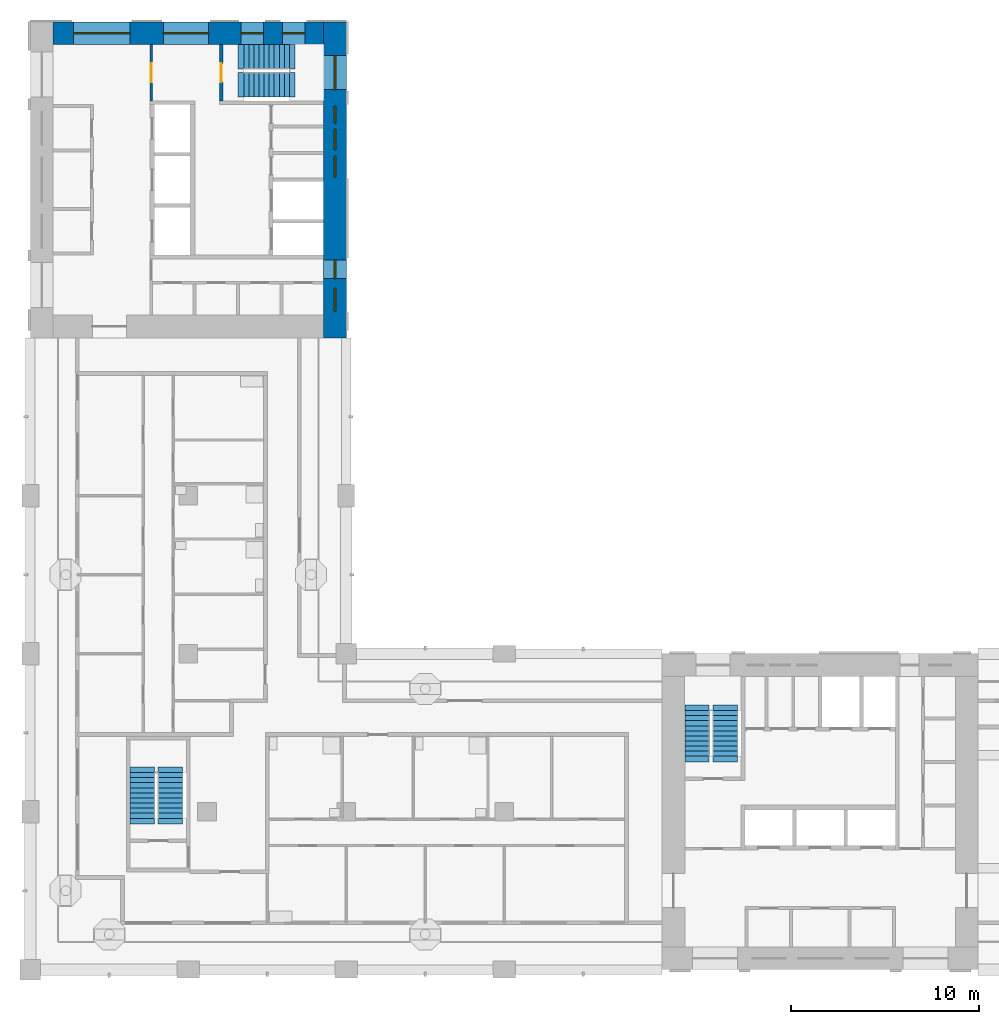
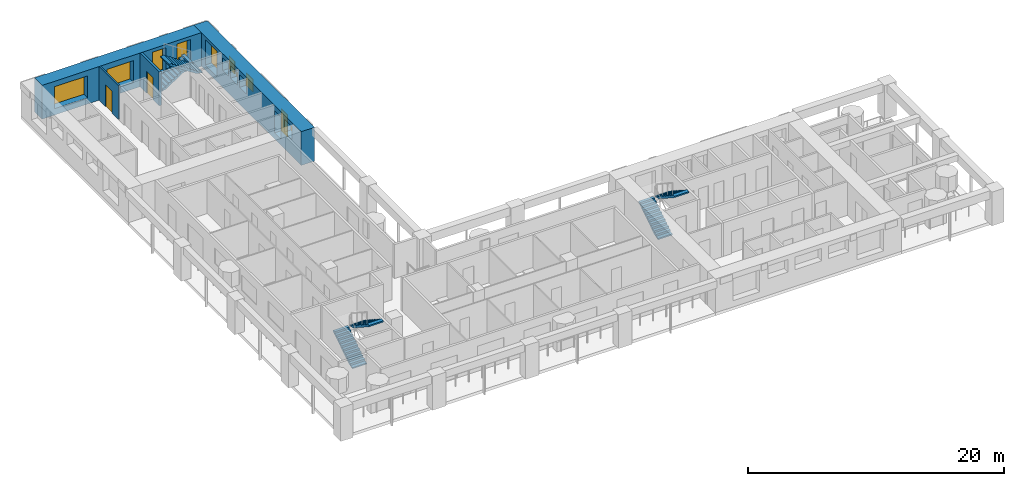
# One storey, part 7 of 13: 10 windows, 6 stair flights, 4 walls, 2 doors, 12 openings, 3 elements without a shape of their own.
"""IFC4 building model written with IfcOpenShell, lengths in metres."""

from ifc_helpers import new_model, si_unit, direction, frame, frame_2d, origin, place, context, subcontext, project, spatial, polyline, rectangle, outline, extrude, material, layer, layer_set, type_object, element, fill, aggregate, save


model = new_model("IFC4")

# Units and contexts
model_context = context("Model", 3, precision=1e-05, world=origin(), true_north=direction((0.0, 1.0)))
body_context = subcontext(model_context, "Body", "Model", "MODEL_VIEW")
ifc_project = project(units=[si_unit("LENGTHUNIT", "METRE"), si_unit("AREAUNIT", "SQUARE_METRE"), si_unit("VOLUMEUNIT", "CUBIC_METRE"), si_unit("PLANEANGLEUNIT", "RADIAN"), si_unit("MASSUNIT", "GRAM", prefix="KILO")], contexts=[model_context])

# Site, building, storey
site_placement = place(None, origin())
site = spatial("IfcSite", under=ifc_project, at=site_placement, CompositionType="ELEMENT")
building_placement = place(site_placement, origin())
building = spatial("IfcBuilding", under=site, at=building_placement, Name="Vermilion Gate Residences", CompositionType="ELEMENT")
storey_placement = place(building_placement, frame((0.0, 0.0, 165.199951171875)))
storey = spatial("IfcBuildingStorey", under=building, at=storey_placement, Name="L42", CompositionType="ELEMENT", Elevation=165.199951171875)

# Wall, opening, door
ifc_material_1 = material(Name="Masonry blockwork", Category="masonry")
ifc_layer_1 = layer(ifc_material_1, 0.14990234375)
ifc_layer_set_1 = layer_set([ifc_layer_1], Name="BLOCKWORK PARTITION 150 EI 120")
wall_type_1 = type_object("IfcWallType", Name="BLOCKWORK PARTITION 150 EI 120", PredefinedType="PARTITIONING", material=ifc_layer_set_1)
wall_1_placement = place(storey_placement, frame((14.824951171875, 57.60009765625, 0.0), z_axis=(0.0, 0.0, 1.0), x_axis=(0.0, -1.0, 0.0)))
wall_1 = element("IfcWall", 1, at=wall_1_placement, inside=storey, type_object=wall_type_1, Name="Core room partition B42-VW-S", PredefinedType="PARTITIONING", context=body_context, shape_type="SweptSolid", body=[
    extrude(rectangle(XDim=3.0, YDim=0.14990234375, at=frame_2d((1.5, 0.0))), origin(), (0.0, 0.0, 1.0), 3.219970703125),
])
opening_1_placement = place(wall_1_placement, frame((1.0, 0.0, 0.0)))
opening_1 = element("IfcOpeningElement", 2, at=opening_1_placement, cuts=wall_1, Name="Opening DK42113", PredefinedType="OPENING", context=body_context, shape_type="SweptSolid", body=[
    extrude(rectangle(XDim=1.0, YDim=2.10009765625, at=frame_2d((0.5, 1.050048828125))), frame((0.0, 0.0849609375, 0.0), z_axis=(0.0, -1.0, 0.0), x_axis=(1.0, 0.0, 0.0)), (0.0, 0.0, 1.0), 0.169921875),
])
ifc_material_2 = material(Name="Steel", Category="steel")
door_type = type_object("IfcDoorType", Name="FIRE DOOR FD60 1000 X 2100", OperationType="SINGLE_SWING_LEFT", PredefinedType="DOOR", material=ifc_material_2)
door_1_placement = place(opening_1_placement, frame((1.0, 0.0, 0.0), z_axis=(0.0, 0.0, 1.0), x_axis=(-1.0, 0.0, 0.0)))
door_1 = element("IfcDoor", 3, at=door_1_placement, inside=storey, type_object=door_type, Name="Stair vestibule door B42", OperationType="SINGLE_SWING_RIGHT", OverallHeight=2.10009765625, OverallWidth=1.0, PredefinedType="DOOR", context=body_context, shape_type="SweptSolid", body=[
    extrude(rectangle(XDim=1.0, YDim=2.10009765625, at=frame_2d((0.5, 1.050048828125))), frame((0.0, 0.02490234375, 0.0), z_axis=(0.0, -1.0, 0.0), x_axis=(1.0, 0.0, 0.0)), (0.0, 0.0, 1.0), 0.050048828125),
])
fill(opening_1, door_1)

ifc_material_3 = material(Name="Concrete C60", Category="concrete")
ifc_layer_2 = layer(ifc_material_3, 0.199951171875)
ifc_layer_set_2 = layer_set([ifc_layer_2], Name="RC CORE INTERNAL WALL 200 C60")
wall_type_2 = type_object("IfcWallType", Name="RC CORE INTERNAL WALL 200 C60", PredefinedType="SHEAR", material=ifc_layer_set_2)
wall_2_placement = place(storey_placement, frame((18.550048828125, 57.60009765625, 0.0), z_axis=(0.0, 0.0, 1.0), x_axis=(0.0, -1.0, 0.0)))
wall_2 = element("IfcWall", 4, at=wall_2_placement, inside=storey, type_object=wall_type_2, Name="Core internal wall B42-STW-S", PredefinedType="SHEAR", context=body_context, shape_type="SweptSolid", body=[
    extrude(rectangle(XDim=3.0, YDim=0.199951171875, at=frame_2d((1.5, 0.0))), origin(), (0.0, 0.0, 1.0), 3.219970703125),
])
opening_2_placement = place(wall_2_placement, frame((1.0, 0.0, 0.0)))
opening_2 = element("IfcOpeningElement", 5, at=opening_2_placement, cuts=wall_2, Name="Opening DK42114", PredefinedType="OPENING", context=body_context, shape_type="SweptSolid", body=[
    extrude(rectangle(XDim=1.0, YDim=2.10009765625, at=frame_2d((0.5, 1.050048828125))), frame((0.0, 0.10986328125, 0.0), z_axis=(0.0, -1.0, 0.0), x_axis=(1.0, 0.0, 0.0)), (0.0, 0.0, 1.0), 0.219970703125),
])
door_2_placement = place(opening_2_placement, origin())
door_2 = element("IfcDoor", 6, at=door_2_placement, inside=storey, type_object=door_type, Name="Stair door B42", OperationType="SINGLE_SWING_LEFT", OverallHeight=2.10009765625, OverallWidth=1.0, PredefinedType="DOOR", context=body_context, shape_type="SweptSolid", body=[
    extrude(rectangle(XDim=1.0, YDim=2.10009765625, at=frame_2d((0.5, 1.050048828125))), frame((0.0, 0.02490234375, 0.0), z_axis=(0.0, -1.0, 0.0), x_axis=(1.0, 0.0, 0.0)), (0.0, 0.0, 1.0), 0.050048828125),
])
fill(opening_2, door_2)

# Wall, openings, windows
ifc_material_4 = material(Name="Concrete C60 red-oxide pigmented", Category="concrete")
ifc_layer_3 = layer(ifc_material_4, 1.199951171875)
ifc_layer_set_3 = layer_set([ifc_layer_3], Name="RC CORE WALL 1200 C60 RED OXIDE")
wall_type_3 = type_object("IfcWallType", Name="RC CORE WALL 1200 C60 RED OXIDE", PredefinedType="SHEAR", material=ifc_layer_set_3)
wall_3_placement = place(storey_placement, frame((24.60009765625, 58.800048828125, 0.0), z_axis=(0.0, 0.0, 1.0), x_axis=(0.0, -1.0, 0.0)))
wall_3 = element("IfcWall", 7, at=wall_3_placement, inside=storey, type_object=wall_type_3, Name="Core wall B42-OUT-B1", PredefinedType="SHEAR", context=body_context, shape_type="SweptSolid", body=[
    extrude(rectangle(XDim=16.800048828125, YDim=1.199951171875, at=frame_2d((8.39990234375, 0.0))), origin(), (0.0, 0.0, 1.0), 3.219970703125),
])
opening_3_placement = place(wall_3_placement, frame((1.800048828125, 0.0, 0.5)))
opening_3 = element("IfcOpeningElement", 8, at=opening_3_placement, cuts=wall_3, Name="Opening WKB4206", PredefinedType="OPENING", context=body_context, shape_type="SweptSolid", body=[
    extrude(rectangle(XDim=1.800048828125, YDim=2.39990234375, at=frame_2d((0.89990234375, 1.199951171875))), frame((0.0, 0.60986328125, 0.0), z_axis=(0.0, -1.0, 0.0), x_axis=(1.0, 0.0, 0.0)), (0.0, 0.0, 1.0), 1.219970703125),
])
opening_4_placement = place(wall_3_placement, frame((4.489990234375, 0.0, 1.60009765625)))
opening_4 = element("IfcOpeningElement", 9, at=opening_4_placement, cuts=wall_3, Name="Opening WKB4207", PredefinedType="OPENING", context=body_context, shape_type="SweptSolid", body=[
    extrude(rectangle(XDim=0.89990234375, YDim=1.199951171875, at=frame_2d((0.449951171875, 0.60009765625))), frame((0.0, 0.60986328125, 0.0), z_axis=(0.0, -1.0, 0.0), x_axis=(1.0, 0.0, 0.0)), (0.0, 0.0, 1.0), 1.219970703125),
])
opening_5_placement = place(wall_3_placement, frame((5.7099609375, 0.0, 1.60009765625)))
opening_5 = element("IfcOpeningElement", 10, at=opening_5_placement, cuts=wall_3, Name="Opening WKB4208", PredefinedType="OPENING", context=body_context, shape_type="SweptSolid", body=[
    extrude(rectangle(XDim=1.10009765625, YDim=1.199951171875, at=frame_2d((0.550048828125, 0.60009765625))), frame((0.0, 0.60986328125, 0.0), z_axis=(0.0, -1.0, 0.0), x_axis=(1.0, 0.0, 0.0)), (0.0, 0.0, 1.0), 1.219970703125),
])
opening_6_placement = place(wall_3_placement, frame((7.14990234375, 0.0, 1.60009765625)))
opening_6 = element("IfcOpeningElement", 11, at=opening_6_placement, cuts=wall_3, Name="Opening WKB4209", PredefinedType="OPENING", context=body_context, shape_type="SweptSolid", body=[
    extrude(rectangle(XDim=1.10009765625, YDim=1.199951171875, at=frame_2d((0.550048828125, 0.60009765625))), frame((0.0, 0.60986328125, 0.0), z_axis=(0.0, -1.0, 0.0), x_axis=(1.0, 0.0, 0.0)), (0.0, 0.0, 1.0), 1.219970703125),
])
opening_7_placement = place(wall_3_placement, frame((12.64990234375, 0.0, 0.60009765625)))
opening_7 = element("IfcOpeningElement", 12, at=opening_7_placement, cuts=wall_3, Name="Opening WKB4210", PredefinedType="OPENING", context=body_context, shape_type="SweptSolid", body=[
    extrude(rectangle(XDim=1.0, YDim=2.10009765625, at=frame_2d((0.5, 1.050048828125))), frame((0.0, 0.60986328125, 0.0), z_axis=(0.0, -1.0, 0.0), x_axis=(1.0, 0.0, 0.0)), (0.0, 0.0, 1.0), 1.219970703125),
])
opening_8_placement = place(wall_3_placement, frame((14.175048828125, 0.0, 1.60009765625)))
opening_8 = element("IfcOpeningElement", 13, at=opening_8_placement, cuts=wall_3, Name="Opening WKB4211", PredefinedType="OPENING", context=body_context, shape_type="SweptSolid", body=[
    extrude(rectangle(XDim=1.199951171875, YDim=1.199951171875, at=frame_2d((0.60009765625, 0.60009765625))), frame((0.0, 0.60986328125, 0.0), z_axis=(0.0, -1.0, 0.0), x_axis=(1.0, 0.0, 0.0)), (0.0, 0.0, 1.0), 1.219970703125),
])
ifc_material_5 = material(Name="Aluminium and clear glass", Category="aluminium")
window_type_1 = type_object("IfcWindowType", Name="CORE CORRIDOR WINDOW 1000 X 2100", PartitioningType="SINGLE_PANEL", PredefinedType="WINDOW", material=ifc_material_5)
window_1_placement = place(opening_7_placement, origin())
window_1 = element("IfcWindow", 14, at=window_1_placement, inside=storey, type_object=window_type_1, Name="Core corridor window", OverallHeight=2.10009765625, OverallWidth=1.0, PartitioningType="SINGLE_PANEL", PredefinedType="WINDOW", context=body_context, shape_type="SweptSolid", body=[
    extrude(rectangle(XDim=1.0, YDim=2.10009765625, at=frame_2d((0.5, 1.050048828125))), frame((0.0, 0.030029296875, 0.0), z_axis=(0.0, -1.0, 0.0), x_axis=(1.0, 0.0, 0.0)), (0.0, 0.0, 1.0), 0.06005859375),
])
fill(opening_7, window_1)
ifc_material_6 = material(Name="Aluminium frame with louvre blades", Category="aluminium")
window_type_2 = type_object("IfcWindowType", Name="CORE LOUVRE 1100 X 1200", PartitioningType="SINGLE_PANEL", PredefinedType="WINDOW", material=ifc_material_6)
window_2_placement = place(opening_5_placement, origin())
window_2 = element("IfcWindow", 15, at=window_2_placement, inside=storey, type_object=window_type_2, Name="Core louvre", OverallHeight=1.199951171875, OverallWidth=1.10009765625, PartitioningType="SINGLE_PANEL", PredefinedType="WINDOW", context=body_context, shape_type="SweptSolid", body=[
    extrude(rectangle(XDim=1.10009765625, YDim=1.199951171875, at=frame_2d((0.550048828125, 0.60009765625))), frame((0.0, 0.030029296875, 0.0), z_axis=(0.0, -1.0, 0.0), x_axis=(1.0, 0.0, 0.0)), (0.0, 0.0, 1.0), 0.06005859375),
])
fill(opening_5, window_2)
window_3_placement = place(opening_6_placement, origin())
window_3 = element("IfcWindow", 16, at=window_3_placement, inside=storey, type_object=window_type_2, Name="Core louvre", OverallHeight=1.199951171875, OverallWidth=1.10009765625, PartitioningType="SINGLE_PANEL", PredefinedType="WINDOW", context=body_context, shape_type="SweptSolid", body=[
    extrude(rectangle(XDim=1.10009765625, YDim=1.199951171875, at=frame_2d((0.550048828125, 0.60009765625))), frame((0.0, 0.030029296875, 0.0), z_axis=(0.0, -1.0, 0.0), x_axis=(1.0, 0.0, 0.0)), (0.0, 0.0, 1.0), 0.06005859375),
])
fill(opening_6, window_3)
ifc_material_7 = material(Name="Aluminium frame with louvre blades", Category="aluminium")
window_type_3 = type_object("IfcWindowType", Name="CORE LOUVRE 1200 X 1200", PartitioningType="SINGLE_PANEL", PredefinedType="WINDOW", material=ifc_material_7)
window_4_placement = place(opening_8_placement, origin())
window_4 = element("IfcWindow", 17, at=window_4_placement, inside=storey, type_object=window_type_3, Name="Core louvre", OverallHeight=1.199951171875, OverallWidth=1.199951171875, PartitioningType="SINGLE_PANEL", PredefinedType="WINDOW", context=body_context, shape_type="SweptSolid", body=[
    extrude(rectangle(XDim=1.199951171875, YDim=1.199951171875, at=frame_2d((0.60009765625, 0.60009765625))), frame((0.0, 0.030029296875, 0.0), z_axis=(0.0, -1.0, 0.0), x_axis=(1.0, 0.0, 0.0)), (0.0, 0.0, 1.0), 0.06005859375),
])
fill(opening_8, window_4)
ifc_material_8 = material(Name="Aluminium frame with louvre blades", Category="aluminium")
window_type_4 = type_object("IfcWindowType", Name="CORE LOUVRE 900 X 1200", PartitioningType="SINGLE_PANEL", PredefinedType="WINDOW", material=ifc_material_8)
window_5_placement = place(opening_4_placement, origin())
window_5 = element("IfcWindow", 18, at=window_5_placement, inside=storey, type_object=window_type_4, Name="Core louvre", OverallHeight=1.199951171875, OverallWidth=0.89990234375, PartitioningType="SINGLE_PANEL", PredefinedType="WINDOW", context=body_context, shape_type="SweptSolid", body=[
    extrude(rectangle(XDim=0.89990234375, YDim=1.199951171875, at=frame_2d((0.449951171875, 0.60009765625))), frame((0.0, 0.030029296875, 0.0), z_axis=(0.0, -1.0, 0.0), x_axis=(1.0, 0.0, 0.0)), (0.0, 0.0, 1.0), 0.06005859375),
])
fill(opening_4, window_5)
ifc_material_9 = material(Name="Aluminium and clear glass", Category="aluminium")
window_type_5 = type_object("IfcWindowType", Name="CORE STAIR WINDOW 1800 X 2400", PartitioningType="SINGLE_PANEL", PredefinedType="WINDOW", material=ifc_material_9)
window_6_placement = place(opening_3_placement, origin())
window_6 = element("IfcWindow", 19, at=window_6_placement, inside=storey, type_object=window_type_5, Name="Core stair window", OverallHeight=2.39990234375, OverallWidth=1.800048828125, PartitioningType="SINGLE_PANEL", PredefinedType="WINDOW", context=body_context, shape_type="SweptSolid", body=[
    extrude(rectangle(XDim=1.800048828125, YDim=2.39990234375, at=frame_2d((0.89990234375, 1.199951171875))), frame((0.0, 0.030029296875, 0.0), z_axis=(0.0, -1.0, 0.0), x_axis=(1.0, 0.0, 0.0)), (0.0, 0.0, 1.0), 0.06005859375),
])
fill(opening_3, window_6)

wall_4_placement = place(storey_placement, frame((9.60009765625, 58.199951171875, 0.0), z_axis=(0.0, 0.0, 1.0), x_axis=(1.0, 0.0, 0.0)))
wall_4 = element("IfcWall", 20, at=wall_4_placement, inside=storey, type_object=wall_type_3, Name="Core wall B42-OUT-FR", PredefinedType="SHEAR", context=body_context, shape_type="SweptSolid", body=[
    extrude(rectangle(XDim=14.39990234375, YDim=1.199951171875, at=frame_2d((7.199951171875, 0.0))), origin(), (0.0, 0.0, 1.0), 3.219970703125),
])
opening_9_placement = place(wall_4_placement, frame((1.10498046875, 0.0, 0.60009765625)))
opening_9 = element("IfcOpeningElement", 21, at=opening_9_placement, cuts=wall_4, Name="Opening WKB4212", PredefinedType="OPENING", context=body_context, shape_type="SweptSolid", body=[
    extrude(rectangle(XDim=3.0, YDim=2.10009765625, at=frame_2d((1.5, 1.050048828125))), frame((0.0, 0.60986328125, 0.0), z_axis=(0.0, -1.0, 0.0), x_axis=(1.0, 0.0, 0.0)), (0.0, 0.0, 1.0), 1.219970703125),
])
opening_10_placement = place(wall_4_placement, frame((5.875, 0.0, 0.60009765625)))
opening_10 = element("IfcOpeningElement", 22, at=opening_10_placement, cuts=wall_4, Name="Opening WKB4213", PredefinedType="OPENING", context=body_context, shape_type="SweptSolid", body=[
    extrude(rectangle(XDim=2.39990234375, YDim=2.10009765625, at=frame_2d((1.199951171875, 1.050048828125))), frame((0.0, 0.60986328125, 0.0), z_axis=(0.0, -1.0, 0.0), x_axis=(1.0, 0.0, 0.0)), (0.0, 0.0, 1.0), 1.219970703125),
])
opening_11_placement = place(wall_4_placement, frame((9.993408203125, 0.0, 0.5)))
opening_11 = element("IfcOpeningElement", 23, at=opening_11_placement, cuts=wall_4, Name="Opening WKB4214", PredefinedType="OPENING", context=body_context, shape_type="SweptSolid", body=[
    extrude(rectangle(XDim=1.199951171875, YDim=2.39990234375, at=frame_2d((0.60009765625, 1.199951171875))), frame((0.0, 0.60986328125, 0.0), z_axis=(0.0, -1.0, 0.0), x_axis=(1.0, 0.0, 0.0)), (0.0, 0.0, 1.0), 1.219970703125),
])
opening_12_placement = place(wall_4_placement, frame((12.19677734375, 0.0, 0.5)))
opening_12 = element("IfcOpeningElement", 24, at=opening_12_placement, cuts=wall_4, Name="Opening WKB4215", PredefinedType="OPENING", context=body_context, shape_type="SweptSolid", body=[
    extrude(rectangle(XDim=1.199951171875, YDim=2.39990234375, at=frame_2d((0.60009765625, 1.199951171875))), frame((0.0, 0.60986328125, 0.0), z_axis=(0.0, -1.0, 0.0), x_axis=(1.0, 0.0, 0.0)), (0.0, 0.0, 1.0), 1.219970703125),
])
ifc_material_10 = material(Name="Aluminium and clear glass", Category="aluminium")
window_type_6 = type_object("IfcWindowType", Name="CORE LOBBY WINDOW 2400 X 2100", PartitioningType="SINGLE_PANEL", PredefinedType="WINDOW", material=ifc_material_10)
window_7_placement = place(opening_10_placement, origin())
window_7 = element("IfcWindow", 25, at=window_7_placement, inside=storey, type_object=window_type_6, Name="Core lobby window", OverallHeight=2.10009765625, OverallWidth=2.39990234375, PartitioningType="SINGLE_PANEL", PredefinedType="WINDOW", context=body_context, shape_type="SweptSolid", body=[
    extrude(rectangle(XDim=2.39990234375, YDim=2.10009765625, at=frame_2d((1.199951171875, 1.050048828125))), frame((0.0, 0.030029296875, 0.0), z_axis=(0.0, -1.0, 0.0), x_axis=(1.0, 0.0, 0.0)), (0.0, 0.0, 1.0), 0.06005859375),
])
fill(opening_10, window_7)
ifc_material_11 = material(Name="Aluminium and clear glass", Category="aluminium")
window_type_7 = type_object("IfcWindowType", Name="CORE LOBBY WINDOW 3000 X 2100", PartitioningType="SINGLE_PANEL", PredefinedType="WINDOW", material=ifc_material_11)
window_8_placement = place(opening_9_placement, origin())
window_8 = element("IfcWindow", 26, at=window_8_placement, inside=storey, type_object=window_type_7, Name="Core lobby window", OverallHeight=2.10009765625, OverallWidth=3.0, PartitioningType="SINGLE_PANEL", PredefinedType="WINDOW", context=body_context, shape_type="SweptSolid", body=[
    extrude(rectangle(XDim=3.0, YDim=2.10009765625, at=frame_2d((1.5, 1.050048828125))), frame((0.0, 0.030029296875, 0.0), z_axis=(0.0, -1.0, 0.0), x_axis=(1.0, 0.0, 0.0)), (0.0, 0.0, 1.0), 0.06005859375),
])
fill(opening_9, window_8)
ifc_material_12 = material(Name="Aluminium and clear glass", Category="aluminium")
window_type_8 = type_object("IfcWindowType", Name="CORE STAIR WINDOW 1200 X 2400", PartitioningType="SINGLE_PANEL", PredefinedType="WINDOW", material=ifc_material_12)
window_9_placement = place(opening_11_placement, origin())
window_9 = element("IfcWindow", 27, at=window_9_placement, inside=storey, type_object=window_type_8, Name="Core stair window", OverallHeight=2.39990234375, OverallWidth=1.199951171875, PartitioningType="SINGLE_PANEL", PredefinedType="WINDOW", context=body_context, shape_type="SweptSolid", body=[
    extrude(rectangle(XDim=1.199951171875, YDim=2.39990234375, at=frame_2d((0.60009765625, 1.199951171875))), frame((0.0, 0.030029296875, 0.0), z_axis=(0.0, -1.0, 0.0), x_axis=(1.0, 0.0, 0.0)), (0.0, 0.0, 1.0), 0.06005859375),
])
fill(opening_11, window_9)
window_10_placement = place(opening_12_placement, origin())
window_10 = element("IfcWindow", 28, at=window_10_placement, inside=storey, type_object=window_type_8, Name="Core stair window", OverallHeight=2.39990234375, OverallWidth=1.199951171875, PartitioningType="SINGLE_PANEL", PredefinedType="WINDOW", context=body_context, shape_type="SweptSolid", body=[
    extrude(rectangle(XDim=1.199951171875, YDim=2.39990234375, at=frame_2d((0.60009765625, 1.199951171875))), frame((0.0, 0.030029296875, 0.0), z_axis=(0.0, -1.0, 0.0), x_axis=(1.0, 0.0, 0.0)), (0.0, 0.0, 1.0), 0.06005859375),
])
fill(opening_12, window_10)

# Stair, stair flights
ifc_material_13 = material(Name="Concrete C50", Category="concrete")
stair_type = type_object("IfcStairType", Name="SPECIAL ESCAPE STAIR 1300", PredefinedType="HALF_TURN_STAIR", material=ifc_material_13)
stair_1_placement = place(storey_placement, origin())
stair_1 = element("IfcStair", 29, at=stair_1_placement, inside=storey, type_object=stair_type, Name="Special escape stair STA1-42", PredefinedType="HALF_TURN_STAIR")
ifc_material_14 = material(Name="Concrete C50", Category="concrete")
stair_flight_type = type_object("IfcStairFlightType", Name="STAIR FLIGHT 1300 RC C50", PredefinedType="STRAIGHT", material=ifc_material_14)
stair_flight_1_placement = place(storey_placement, frame((43.85009765625, 19.75, 0.0), z_axis=(0.0, 0.0, 1.0), x_axis=(0.0, 1.0, 0.0)))
stair_flight_1 = element("IfcStairFlight", 30, at=stair_flight_1_placement, type_object=stair_flight_type, Name="STA1-42 flight 1", NumberOfRisers=10, NumberOfTreads=9, PredefinedType="STRAIGHT", RiserHeight=0.175, TreadLength=0.27, context=body_context, shape_type="SweptSolid", body=[
    extrude(outline(polyline([(-0.300048828125, -0.14990234375), (-0.300048828125, -0.030029296875), (0.0, 0.0), (0.0, 0.175048828125), (0.27001953125, 0.175048828125), (0.27001953125, 0.35009765625), (0.5400390625, 0.35009765625), (0.5400390625, 0.52490234375), (0.81005859375, 0.52490234375), (0.81005859375, 0.699951171875), (1.080078125, 0.699951171875), (1.080078125, 0.875), (1.35009765625, 0.875), (1.35009765625, 1.050048828125), (1.6201171875, 1.050048828125), (1.6201171875, 1.22509765625), (1.889892578125, 1.22509765625), (1.889892578125, 1.39990234375), (2.159912109375, 1.39990234375), (2.159912109375, 1.574951171875), (2.429931640625, 1.574951171875), (2.429931640625, 1.75), (2.72998046875, 1.719970703125), (2.72998046875, 1.60009765625), (2.429931640625, 1.396484375), (0.275634765625, 0.0), (-0.300048828125, -0.14990234375)])), frame((0.0, 0.64990234375, 0.0), z_axis=(0.0, -1.0, 0.0), x_axis=(1.0, 0.0, 0.0)), (0.0, 0.0, 1.0), 1.300048828125),
])
stair_flight_2_placement = place(storey_placement, frame((45.35009765625, 22.179931640625, 1.75), z_axis=(0.0, 0.0, 1.0), x_axis=(0.0, -1.0, 0.0)))
stair_flight_2 = element("IfcStairFlight", 31, at=stair_flight_2_placement, type_object=stair_flight_type, Name="STA1-42 flight 2", NumberOfRisers=10, NumberOfTreads=9, PredefinedType="STRAIGHT", RiserHeight=0.175, TreadLength=0.27, context=body_context, shape_type="SweptSolid", body=[
    extrude(outline(polyline([(-0.300048828125, -0.14990234375), (-0.300048828125, -0.030029296875), (0.0, 0.0), (0.0, 0.175048828125), (0.27001953125, 0.175048828125), (0.27001953125, 0.35009765625), (0.5400390625, 0.35009765625), (0.5400390625, 0.52490234375), (0.81005859375, 0.52490234375), (0.81005859375, 0.699951171875), (1.080078125, 0.699951171875), (1.080078125, 0.875), (1.35009765625, 0.875), (1.35009765625, 1.050048828125), (1.6201171875, 1.050048828125), (1.6201171875, 1.22509765625), (1.889892578125, 1.22509765625), (1.889892578125, 1.39990234375), (2.159912109375, 1.39990234375), (2.159912109375, 1.574951171875), (2.429931640625, 1.574951171875), (2.429931640625, 1.75), (2.72998046875, 1.719970703125), (2.72998046875, 1.60009765625), (2.429931640625, 1.396484375), (0.275634765625, 0.0), (-0.300048828125, -0.14990234375)])), frame((0.0, 0.64990234375, 0.0), z_axis=(0.0, -1.0, 0.0), x_axis=(1.0, 0.0, 0.0)), (0.0, 0.0, 1.0), 1.300048828125),
])
aggregate(stair_1, [stair_flight_1, stair_flight_2])

stair_2_placement = place(storey_placement, origin())
stair_2 = element("IfcStair", 32, at=stair_2_placement, inside=storey, type_object=stair_type, Name="Special escape stair STB1-42", PredefinedType="HALF_TURN_STAIR")
stair_flight_3_placement = place(storey_placement, frame((19.75, 56.949951171875, 0.0), z_axis=(0.0, 0.0, 1.0), x_axis=(1.0, 0.0, 0.0)))
stair_flight_3 = element("IfcStairFlight", 33, at=stair_flight_3_placement, type_object=stair_flight_type, Name="STB1-42 flight 1", NumberOfRisers=10, NumberOfTreads=9, PredefinedType="STRAIGHT", RiserHeight=0.175, TreadLength=0.27, context=body_context, shape_type="SweptSolid", body=[
    extrude(outline(polyline([(-0.300048828125, -0.14990234375), (-0.300048828125, -0.030029296875), (0.0, 0.0), (0.0, 0.175048828125), (0.27001953125, 0.175048828125), (0.27001953125, 0.35009765625), (0.5400390625, 0.35009765625), (0.5400390625, 0.52490234375), (0.81005859375, 0.52490234375), (0.81005859375, 0.699951171875), (1.080078125, 0.699951171875), (1.080078125, 0.875), (1.35009765625, 0.875), (1.35009765625, 1.050048828125), (1.6201171875, 1.050048828125), (1.6201171875, 1.22509765625), (1.889892578125, 1.22509765625), (1.889892578125, 1.39990234375), (2.159912109375, 1.39990234375), (2.159912109375, 1.574951171875), (2.429931640625, 1.574951171875), (2.429931640625, 1.75), (2.72998046875, 1.719970703125), (2.72998046875, 1.60009765625), (2.429931640625, 1.396484375), (0.275634765625, 0.0), (-0.300048828125, -0.14990234375)])), frame((0.0, 0.64990234375, 0.0), z_axis=(0.0, -1.0, 0.0), x_axis=(1.0, 0.0, 0.0)), (0.0, 0.0, 1.0), 1.300048828125),
])
stair_flight_4_placement = place(storey_placement, frame((22.179931640625, 55.449951171875, 1.75), z_axis=(0.0, 0.0, 1.0), x_axis=(-1.0, 0.0, 0.0)))
stair_flight_4 = element("IfcStairFlight", 34, at=stair_flight_4_placement, type_object=stair_flight_type, Name="STB1-42 flight 2", NumberOfRisers=10, NumberOfTreads=9, PredefinedType="STRAIGHT", RiserHeight=0.175, TreadLength=0.27, context=body_context, shape_type="SweptSolid", body=[
    extrude(outline(polyline([(-0.300048828125, -0.14990234375), (-0.300048828125, -0.030029296875), (0.0, 0.0), (0.0, 0.175048828125), (0.27001953125, 0.175048828125), (0.27001953125, 0.35009765625), (0.5400390625, 0.35009765625), (0.5400390625, 0.52490234375), (0.81005859375, 0.52490234375), (0.81005859375, 0.699951171875), (1.080078125, 0.699951171875), (1.080078125, 0.875), (1.35009765625, 0.875), (1.35009765625, 1.050048828125), (1.6201171875, 1.050048828125), (1.6201171875, 1.22509765625), (1.889892578125, 1.22509765625), (1.889892578125, 1.39990234375), (2.159912109375, 1.39990234375), (2.159912109375, 1.574951171875), (2.429931640625, 1.574951171875), (2.429931640625, 1.75), (2.72998046875, 1.719970703125), (2.72998046875, 1.60009765625), (2.429931640625, 1.396484375), (0.275634765625, 0.0), (-0.300048828125, -0.14990234375)])), frame((0.0, 0.64990234375, 0.0), z_axis=(0.0, -1.0, 0.0), x_axis=(1.0, 0.0, 0.0)), (0.0, 0.0, 1.0), 1.300048828125),
])
aggregate(stair_2, [stair_flight_3, stair_flight_4])

stair_3_placement = place(storey_placement, origin())
stair_3 = element("IfcStair", 35, at=stair_3_placement, inside=storey, type_object=stair_type, Name="Special escape stair STC1-42", PredefinedType="HALF_TURN_STAIR")
stair_flight_5_placement = place(storey_placement, frame((14.35009765625, 16.449951171875, 0.0), z_axis=(0.0, 0.0, 1.0), x_axis=(0.0, 1.0, 0.0)))
stair_flight_5 = element("IfcStairFlight", 36, at=stair_flight_5_placement, type_object=stair_flight_type, Name="STC1-42 flight 1", NumberOfRisers=10, NumberOfTreads=9, PredefinedType="STRAIGHT", RiserHeight=0.175, TreadLength=0.27, context=body_context, shape_type="SweptSolid", body=[
    extrude(outline(polyline([(-0.300048828125, -0.14990234375), (-0.300048828125, -0.030029296875), (0.0, 0.0), (0.0, 0.175048828125), (0.27001953125, 0.175048828125), (0.27001953125, 0.35009765625), (0.5400390625, 0.35009765625), (0.5400390625, 0.52490234375), (0.81005859375, 0.52490234375), (0.81005859375, 0.699951171875), (1.080078125, 0.699951171875), (1.080078125, 0.875), (1.35009765625, 0.875), (1.35009765625, 1.050048828125), (1.6201171875, 1.050048828125), (1.6201171875, 1.22509765625), (1.889892578125, 1.22509765625), (1.889892578125, 1.39990234375), (2.159912109375, 1.39990234375), (2.159912109375, 1.574951171875), (2.429931640625, 1.574951171875), (2.429931640625, 1.75), (2.72998046875, 1.719970703125), (2.72998046875, 1.60009765625), (2.429931640625, 1.396484375), (0.275634765625, 0.0), (-0.300048828125, -0.14990234375)])), frame((0.0, 0.64990234375, 0.0), z_axis=(0.0, -1.0, 0.0), x_axis=(1.0, 0.0, 0.0)), (0.0, 0.0, 1.0), 1.300048828125),
])
stair_flight_6_placement = place(storey_placement, frame((15.85009765625, 18.8798828125, 1.75), z_axis=(0.0, 0.0, 1.0), x_axis=(0.0, -1.0, 0.0)))
stair_flight_6 = element("IfcStairFlight", 37, at=stair_flight_6_placement, type_object=stair_flight_type, Name="STC1-42 flight 2", NumberOfRisers=10, NumberOfTreads=9, PredefinedType="STRAIGHT", RiserHeight=0.175, TreadLength=0.27, context=body_context, shape_type="SweptSolid", body=[
    extrude(outline(polyline([(-0.300048828125, -0.14990234375), (-0.300048828125, -0.030029296875), (0.0, 0.0), (0.0, 0.175048828125), (0.27001953125, 0.175048828125), (0.27001953125, 0.35009765625), (0.5400390625, 0.35009765625), (0.5400390625, 0.52490234375), (0.81005859375, 0.52490234375), (0.81005859375, 0.699951171875), (1.080078125, 0.699951171875), (1.080078125, 0.875), (1.35009765625, 0.875), (1.35009765625, 1.050048828125), (1.6201171875, 1.050048828125), (1.6201171875, 1.22509765625), (1.889892578125, 1.22509765625), (1.889892578125, 1.39990234375), (2.159912109375, 1.39990234375), (2.159912109375, 1.574951171875), (2.429931640625, 1.574951171875), (2.429931640625, 1.75), (2.72998046875, 1.719970703125), (2.72998046875, 1.60009765625), (2.429931640625, 1.396484375), (0.275634765625, 0.0), (-0.300048828125, -0.14990234375)])), frame((0.0, 0.64990234375, 0.0), z_axis=(0.0, -1.0, 0.0), x_axis=(1.0, 0.0, 0.0)), (0.0, 0.0, 1.0), 1.300048828125),
])
aggregate(stair_3, [stair_flight_5, stair_flight_6])

save(model, "model.ifc")
